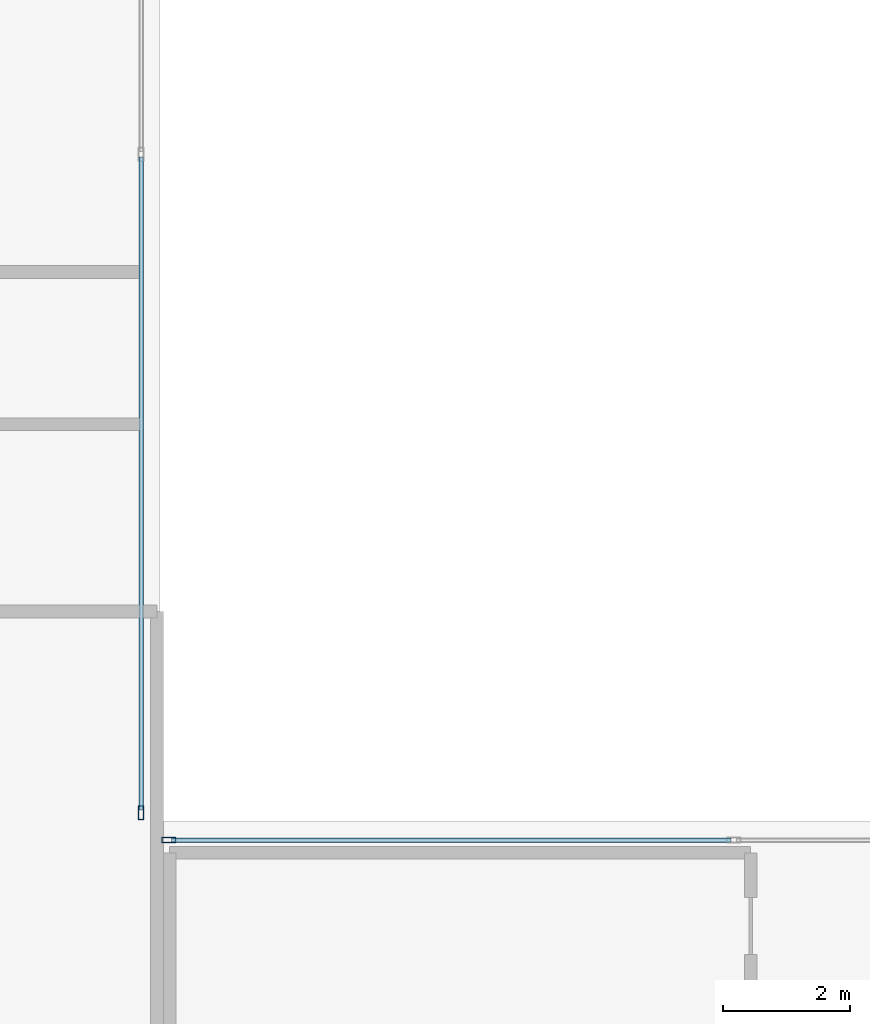
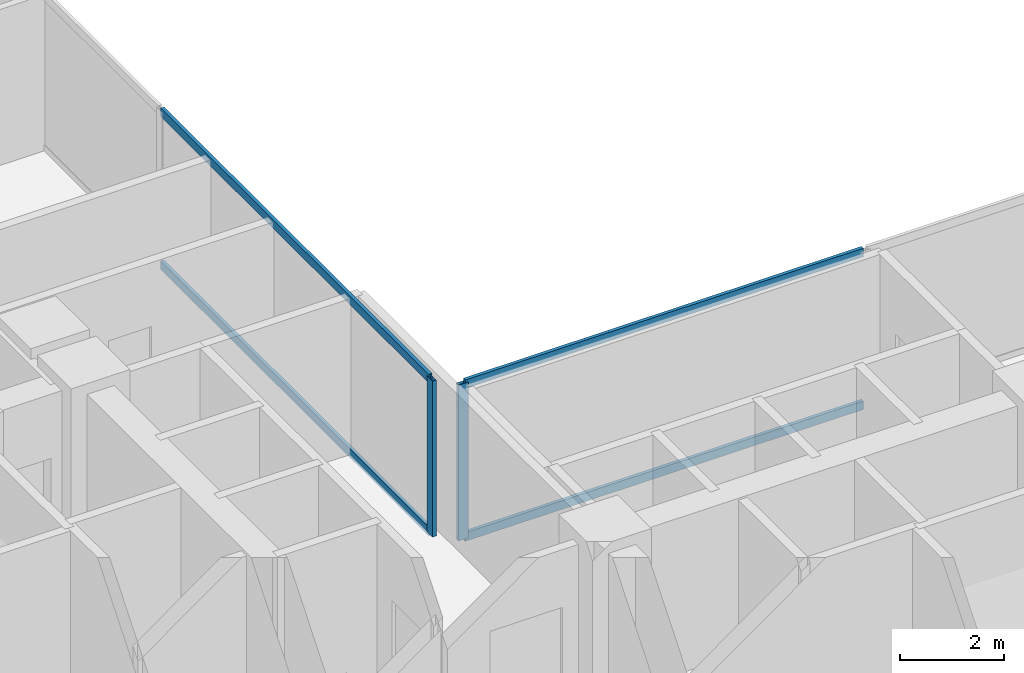
# One storey, part 7 of 27: 6 members, 2 elements without a shape of their own.
"""IFC4 building model written with IfcOpenShell, lengths in metres."""

import ifcopenshell
import ifcopenshell.guid

model = None  # the IFC model being written
_history = None  # IfcOwnerHistory: only IFC2X3 demands one
_inside = {}  # id of a spatial element -> (the spatial element, [elements in it])
_under = {}  # id of a project, library or spatial element -> (it, [spatial elements below it])
_declared = {}  # id of a project -> (the project, [libraries it declares])
_typed = {}  # id of a type object -> (the type object, [elements of that type])
_made_of = {}  # id of a material, layer set ... -> (it, [elements and type objects made of it])


def new_model(schema):
    """Start an empty IFC model of exactly this schema.

    Asked for "IFC4X3", IfcOpenShell would pick the latest addendum, in which some entities
    have other attributes; the version numbers below select the first issue.
    IFC2X3 requires an IfcOwnerHistory on every rooted entity: one is made here for all.
    """
    global model, _history
    if schema == "IFC4X3":
        model = ifcopenshell.file(schema_version=(4, 3, 0, 0))
    else:
        model = ifcopenshell.file(schema=schema)
    _inside.clear()
    _under.clear()
    _declared.clear()
    _typed.clear()
    _made_of.clear()
    _history = None
    if model.schema == "IFC2X3":
        org = make("IfcOrganization", Name="unknown")
        user = make(
            "IfcPersonAndOrganization",
            ThePerson=make("IfcPerson", FamilyName="unknown"),
            TheOrganization=org,
        )
        app = make(
            "IfcApplication",
            ApplicationDeveloper=org,
            Version="unknown",
            ApplicationFullName="unknown",
            ApplicationIdentifier="unknown",
        )
        _history = make(
            "IfcOwnerHistory",
            OwningUser=user,
            OwningApplication=app,
            ChangeAction="ADDED",
            CreationDate=0,
        )
    return model


def make(cls, **values):
    """One entity of the class cls with the attributes given. An attribute that is None is left unset."""
    return model.create_entity(
        cls, **{name: value for name, value in values.items() if value is not None}
    )


def rooted(cls, **values):
    """An entity with a GlobalId (a new one), such as an element, a storey or a relation."""
    return make(cls, GlobalId=ifcopenshell.guid.new(), OwnerHistory=_history, **values)


def si_unit(unit_type, name, prefix=None):
    """IfcSIUnit, for example si_unit("LENGTHUNIT", "METRE", prefix="MILLI")."""
    return make("IfcSIUnit", UnitType=unit_type, Prefix=prefix, Name=name)


def assignment(units):
    """IfcUnitAssignment: the units of a project."""
    return None if units is None else make("IfcUnitAssignment", Units=units)


def point(xyz):
    """IfcCartesianPoint."""
    return None if xyz is None else make("IfcCartesianPoint", Coordinates=xyz)


def direction(xyz):
    """IfcDirection."""
    return None if xyz is None else make("IfcDirection", DirectionRatios=xyz)


def frame(location, z_axis=None, x_axis=None):
    """IfcAxis2Placement3D, a coordinate frame: its origin and axes. An axis left out is left unset."""
    return make(
        "IfcAxis2Placement3D",
        Location=point(location),
        Axis=direction(z_axis),
        RefDirection=direction(x_axis),
    )


def frame_2d(location, x_axis=None):
    """IfcAxis2Placement2D, a coordinate frame in the plane: its origin and x axis."""
    return make(
        "IfcAxis2Placement2D", Location=point(location), RefDirection=direction(x_axis)
    )


def origin():
    """The frame at (0, 0, 0) with its axes left unset."""
    return frame((0.0, 0.0, 0.0))


def origin_2d():
    """The frame at (0, 0) in the plane with its x axis left unset."""
    return frame_2d((0.0, 0.0))


def place(relative_to, where):
    """IfcLocalPlacement: puts the frame where relative to a parent placement (None: the world)."""
    return make(
        "IfcLocalPlacement", PlacementRelTo=relative_to, RelativePlacement=where
    )


def context(
    kind, dimensions, precision=None, world=None, true_north=None, identifier=None
):
    """IfcGeometricRepresentationContext, for example the 3D "Model" context."""
    return make(
        "IfcGeometricRepresentationContext",
        ContextIdentifier=identifier,
        ContextType=kind,
        CoordinateSpaceDimension=dimensions,
        Precision=precision,
        WorldCoordinateSystem=world,
        TrueNorth=true_north,
    )


def subcontext(parent, identifier, kind, view, scale=None):
    """IfcGeometricRepresentationSubContext, for example "Body" below "Model"."""
    return make(
        "IfcGeometricRepresentationSubContext",
        ContextIdentifier=identifier,
        ContextType=kind,
        ParentContext=parent,
        TargetScale=scale,
        TargetView=view,
    )


def project(units=None, contexts=None):
    """IfcProject with its units and contexts."""
    return rooted(
        "IfcProject",
        Name="project",
        RepresentationContexts=contexts,
        UnitsInContext=assignment(units),
    )


def spatial(cls, under=None, at=None, **own):
    """A site, building, storey or space (cls), placed at a placement, below another one or the project."""
    s = rooted(cls, ObjectPlacement=at, **own)
    if under is not None:
        _under.setdefault(under.id(), (under, []))[1].append(s)
    return s


def profile(cls, at=None, kind="AREA", **sizes):
    """A parametric profile (cls). Its sizes go by their IFC names, for example OverallWidth=200.0."""
    return make(cls, ProfileType=kind, Position=at, **sizes)


def hollow_rectangle(**sizes):
    """IfcRectangleHollowProfileDef."""
    return profile("IfcRectangleHollowProfileDef", **sizes)


def extrude(swept, where, along, depth):
    """IfcExtrudedAreaSolid: the profile swept, set in the frame where, extruded along a direction by depth."""
    return make(
        "IfcExtrudedAreaSolid",
        SweptArea=swept,
        Position=where,
        ExtrudedDirection=direction(along),
        Depth=depth,
    )


def shape(context_of_items, identifier, shape_type, items):
    """IfcShapeRepresentation: the items that make up one representation, for example the "Body"."""
    return make(
        "IfcShapeRepresentation",
        ContextOfItems=context_of_items,
        RepresentationIdentifier=identifier,
        RepresentationType=shape_type,
        Items=items,
    )


def material(Name=None, Category=None):
    """IfcMaterial."""
    return make("IfcMaterial", Name=Name, Category=Category)


def layer(
    of_material, thickness, ventilated=None, Name=None, Category=None, Priority=None
):
    """IfcMaterialLayer: one layer of a wall or slab, of a material (None: an air gap)."""
    return make(
        "IfcMaterialLayer",
        Material=of_material,
        LayerThickness=thickness,
        IsVentilated=ventilated,
        Name=Name,
        Category=Category,
        Priority=Priority,
    )


def layer_set(layers, Name=None):
    """IfcMaterialLayerSet."""
    return make("IfcMaterialLayerSet", MaterialLayers=layers, LayerSetName=Name)


def material_profile(
    of_material, cross_section, Name=None, Category=None, Priority=None
):
    """IfcMaterialProfile: a cross section and its material."""
    return make(
        "IfcMaterialProfile",
        Name=Name,
        Material=of_material,
        Profile=cross_section,
        Priority=Priority,
        Category=Category,
    )


def profile_set(profiles, Name=None, composite=None):
    """IfcMaterialProfileSet."""
    return make(
        "IfcMaterialProfileSet",
        Name=Name,
        MaterialProfiles=profiles,
        CompositeProfile=composite,
    )


def made_of(thing, what):
    """Note that an element or type object is made of a material, layer set ...; save() writes the relation."""
    if what is not None:
        _made_of.setdefault(what.id(), (what, []))[1].append(thing)
    return thing


def type_object(cls, material=None, **own):
    """A type object (cls), such as IfcWallType, which elements share."""
    return made_of(rooted(cls, **own), material)


def element(
    cls,
    number,
    at=None,
    inside=None,
    cuts=None,
    type_object=None,
    material=None,
    context=None,
    identifier="Body",
    shape_type=None,
    held_by="IfcProductDefinitionShape",
    body=None,
    shapes=None,
    **own,
):
    """One element of the class cls, such as IfcWall. Its Tag is "e" and its number.

    at: its placement. inside: the storey or other place that contains it. cuts: it is an
    opening in that element (IfcRelVoidsElement). A single representation is given by context,
    identifier, shape_type and body (its items); several are given by shapes. held_by: the class
    of the entity that holds the representations. save() writes the other relations.
    """
    e = rooted(cls, Tag="e%d" % number, ObjectPlacement=at, **own)
    if body is not None:
        shapes = [shape(context, identifier, shape_type, body)]
    if shapes is not None:
        e.Representation = make(held_by, Representations=shapes)
    if inside is not None:
        _inside.setdefault(inside.id(), (inside, []))[1].append(e)
    if cuts is not None:
        rooted(
            "IfcRelVoidsElement", RelatingBuildingElement=cuts, RelatedOpeningElement=e
        )
    if type_object is not None:
        _typed.setdefault(type_object.id(), (type_object, []))[1].append(e)
    return made_of(e, material)


def aggregate(whole, parts):
    """IfcRelAggregates: a whole, such as a stair, and the parts it consists of."""
    return rooted("IfcRelAggregates", RelatingObject=whole, RelatedObjects=parts)


def save(model, path):
    """Write the relations noted so far, then the file.

    IfcRelAggregates (storeys below a building ...), IfcRelContainedInSpatialStructure (elements
    in a storey), IfcRelDefinesByType, IfcRelAssociatesMaterial and IfcRelDeclares: one each for
    every whole, place, type object, material and project.
    """
    for whole, parts in _under.values():
        aggregate(whole, parts)
    for where, things in _inside.values():
        rooted(
            "IfcRelContainedInSpatialStructure",
            RelatedElements=things,
            RelatingStructure=where,
        )
    for kind, things in _typed.values():
        rooted("IfcRelDefinesByType", RelatedObjects=things, RelatingType=kind)
    for what, things in _made_of.values():
        rooted("IfcRelAssociatesMaterial", RelatedObjects=things, RelatingMaterial=what)
    for by, libraries in _declared.values():
        rooted("IfcRelDeclares", RelatingContext=by, RelatedDefinitions=libraries)
    model.write(path)


model = new_model("IFC4")

# Units and contexts
model_context = context("Model", 3, precision=1e-05, world=origin(), true_north=direction((0.0, 1.0)))
body_context = subcontext(model_context, "Body", "Model", "MODEL_VIEW")
ifc_project = project(units=[si_unit("LENGTHUNIT", "METRE"), si_unit("AREAUNIT", "SQUARE_METRE"), si_unit("VOLUMEUNIT", "CUBIC_METRE"), si_unit("PLANEANGLEUNIT", "RADIAN"), si_unit("MASSUNIT", "GRAM", prefix="KILO"), si_unit("THERMODYNAMICTEMPERATUREUNIT", "KELVIN"), si_unit("POWERUNIT", "WATT")], contexts=[model_context])

# Site, building, storey
site_placement = place(None, origin())
site = spatial("IfcSite", under=ifc_project, at=site_placement, CompositionType="ELEMENT")
building_placement = place(site_placement, origin())
building = spatial("IfcBuilding", under=site, at=building_placement, Name="Svarakhadi Broadcast Tower", CompositionType="ELEMENT")
storey_placement = place(building_placement, frame((0.0, 0.0, 55.800048828125)))
storey = spatial("IfcBuildingStorey", under=building, at=storey_placement, Name="L12", CompositionType="ELEMENT", Elevation=55.800048828125)

# Curtain wall, member
ifc_material = material(Name="Anodised Bronze Aluminium AA 6063-T6", Category="aluminium")
ifc_layer = layer(ifc_material, 0.219970703125)
ifc_layer_set = layer_set([ifc_layer], Name="Anodised Bronze Aluminium AA 6063-T6")
curtain_wall_type = type_object("IfcCurtainWallType", Name="CW_Sys_02", PredefinedType="NOTDEFINED", material=ifc_layer_set)
curtain_wall_1_placement = place(storey_placement, origin())
curtain_wall_1 = element("IfcCurtainWall", 1, at=curtain_wall_1_placement, inside=storey, type_object=curtain_wall_type, Name="L12 Unitised Facade Curtain Wall 09", PredefinedType="NOTDEFINED")
ifc_material_profile_1 = material_profile(ifc_material, hollow_rectangle(XDim=0.0849609375, YDim=0.219970703125, WallThickness=0.006103515625, at=origin_2d()), Name="ALU MULLION 220x85x6")
ifc_profile_set_1 = profile_set([ifc_material_profile_1], Name="Anodised Bronze Aluminium AA 6063-T6")
member_type_1 = type_object("IfcMemberType", Name="CW_Sys_02_Mul", PredefinedType="MULLION", material=ifc_profile_set_1)
member_1_placement = place(storey_placement, frame((23.699951171875, 24.132568359375, 0.0), z_axis=(0.0, 0.0, 1.0), x_axis=(1.0, 0.0, 0.0)))
member_1 = element("IfcMember", 2, at=member_1_placement, type_object=member_type_1, Name="CW-02 mullion 3", PredefinedType="MULLION", context=body_context, shape_type="SweptSolid", body=[
    extrude(hollow_rectangle(XDim=0.0849609375, YDim=0.219970703125, WallThickness=0.006103515625, at=origin_2d()), origin(), (0.0, 0.0, 1.0), 3.64990234375),
])

curtain_wall_2_placement = place(storey_placement, origin())
curtain_wall_2 = element("IfcCurtainWall", 3, at=curtain_wall_2_placement, inside=storey, type_object=curtain_wall_type, Name="L12 Unitised Facade Curtain Wall 10", PredefinedType="NOTDEFINED")
member_2_placement = place(storey_placement, frame((24.132568359375, 23.699951171875, 0.0), z_axis=(0.0, 0.0, 1.0), x_axis=(0.0, 1.0, 0.0)))
member_2 = element("IfcMember", 4, at=member_2_placement, type_object=member_type_1, Name="CW-02 mullion 1", PredefinedType="MULLION", context=body_context, shape_type="SweptSolid", body=[
    extrude(hollow_rectangle(XDim=0.0849609375, YDim=0.219970703125, WallThickness=0.006103515625, at=origin_2d()), origin(), (0.0, 0.0, 1.0), 3.64990234375),
])

# Member
ifc_material_profile_2 = material_profile(ifc_material, hollow_rectangle(XDim=0.074951171875, YDim=0.199951171875, WallThickness=0.0048828125, at=origin_2d()), Name="ALU TRANSOM 200x75x5")
ifc_profile_set_2 = profile_set([ifc_material_profile_2], Name="Anodised Bronze Aluminium AA 6063-T6")
member_type_2 = type_object("IfcMemberType", Name="CW_Sys_02_Trn", PredefinedType="USERDEFINED", material=ifc_profile_set_2)
member_3_placement = place(storey_placement, frame((23.699951171875, 34.45751953125, 0.037353515625), z_axis=(0.0, -1.0, 0.0), x_axis=(1.0, 0.0, 0.0)))
member_3 = element("IfcMember", 5, at=member_3_placement, type_object=member_type_2, Name="CW-02 transom 2.1", ObjectType="TRANSOM", PredefinedType="USERDEFINED", context=body_context, shape_type="SweptSolid", body=[
    extrude(hollow_rectangle(XDim=0.074951171875, YDim=0.199951171875, WallThickness=0.0048828125, at=origin_2d()), origin(), (0.0, 0.0, 1.0), 10.282470703125),
])

member_4_placement = place(storey_placement, frame((23.699951171875, 34.45751953125, 3.612548828125), z_axis=(0.0, -1.0, 0.0), x_axis=(1.0, 0.0, 0.0)))
member_4 = element("IfcMember", 6, at=member_4_placement, type_object=member_type_2, Name="CW-02 transom 2.2", ObjectType="TRANSOM", PredefinedType="USERDEFINED", context=body_context, shape_type="SweptSolid", body=[
    extrude(hollow_rectangle(XDim=0.074951171875, YDim=0.199951171875, WallThickness=0.0048828125, at=origin_2d()), origin(), (0.0, 0.0, 1.0), 10.282470703125),
])

aggregate(curtain_wall_1, [member_1, member_3, member_4])

member_5_placement = place(storey_placement, frame((24.175048828125, 23.699951171875, 0.037353515625), z_axis=(1.0, 0.0, 0.0), x_axis=(0.0, 1.0, 0.0)))
member_5 = element("IfcMember", 7, at=member_5_placement, type_object=member_type_2, Name="CW-02 transom 1.1", ObjectType="TRANSOM", PredefinedType="USERDEFINED", context=body_context, shape_type="SweptSolid", body=[
    extrude(hollow_rectangle(XDim=0.074951171875, YDim=0.199951171875, WallThickness=0.0048828125, at=origin_2d()), origin(), (0.0, 0.0, 1.0), 8.8125),
])

member_6_placement = place(storey_placement, frame((24.175048828125, 23.699951171875, 3.612548828125), z_axis=(1.0, 0.0, 0.0), x_axis=(0.0, 1.0, 0.0)))
member_6 = element("IfcMember", 8, at=member_6_placement, type_object=member_type_2, Name="CW-02 transom 1.2", ObjectType="TRANSOM", PredefinedType="USERDEFINED", context=body_context, shape_type="SweptSolid", body=[
    extrude(hollow_rectangle(XDim=0.074951171875, YDim=0.199951171875, WallThickness=0.0048828125, at=origin_2d()), origin(), (0.0, 0.0, 1.0), 8.8125),
])

aggregate(curtain_wall_2, [member_2, member_5, member_6])

save(model, "model.ifc")
